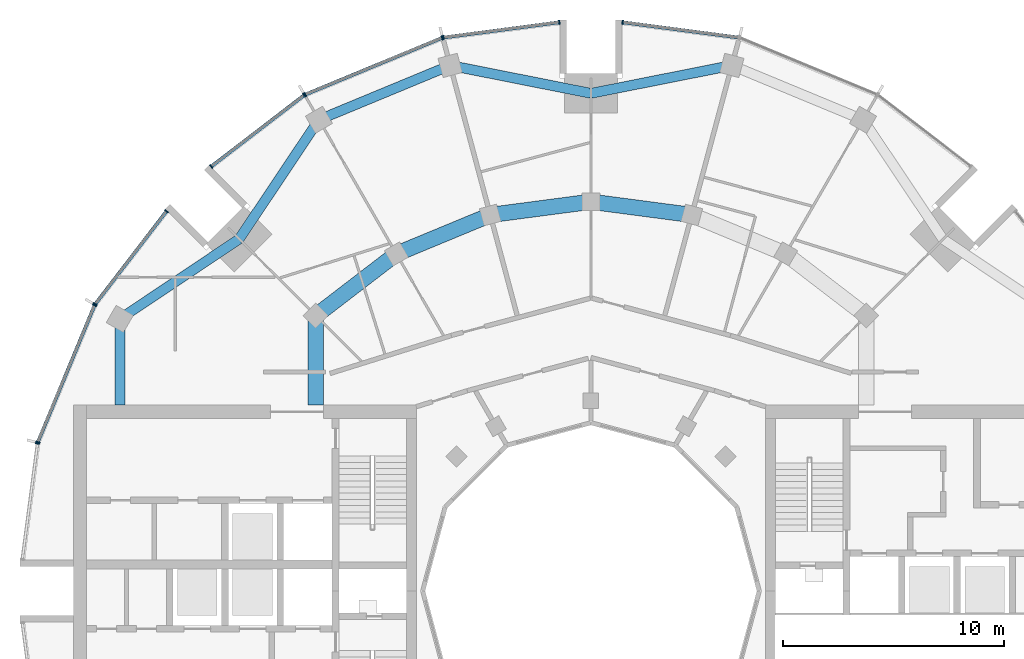
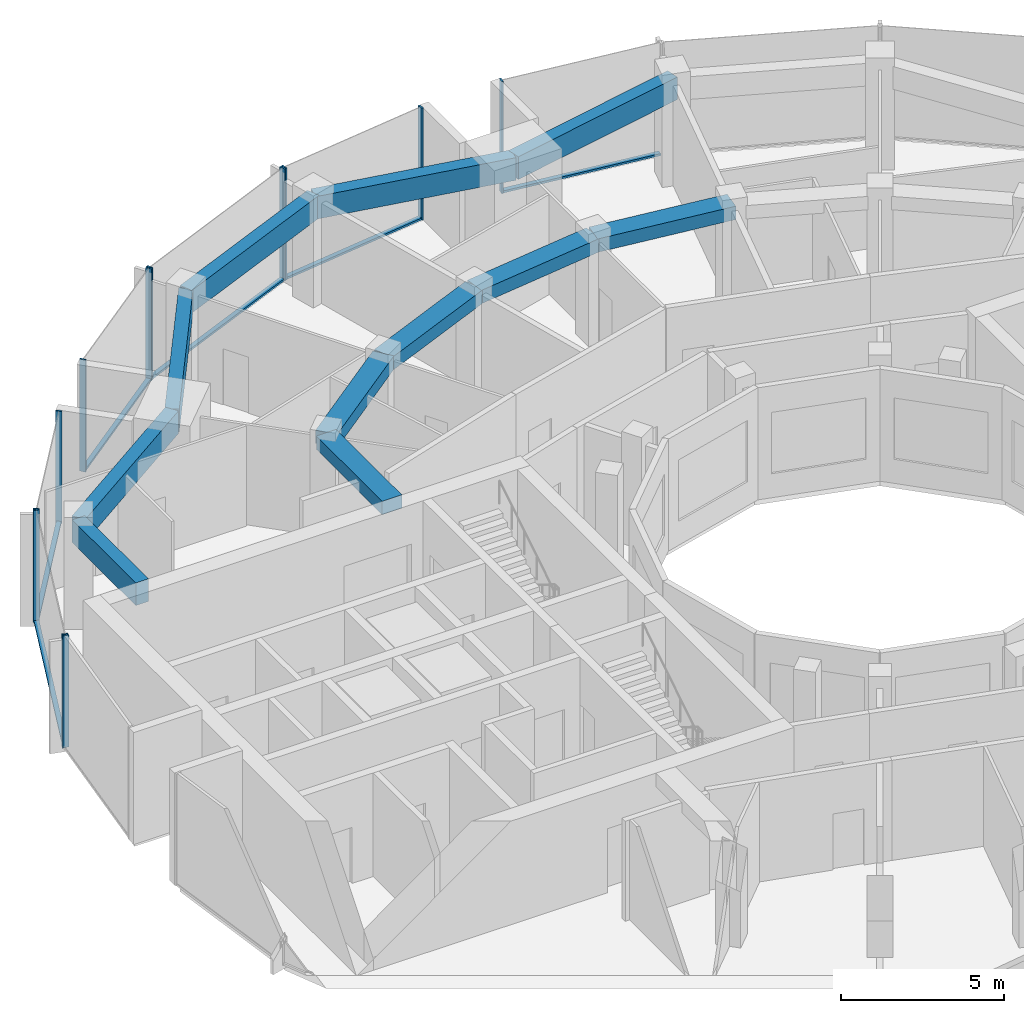
# One storey, part 5 of 15: 18 members, 11 beams, 7 elements without a shape of their own.
"""IFC4 building model written with IfcOpenShell, lengths in metres."""

from ifc_helpers import new_model, si_unit, direction, frame, origin, origin_2d, place, context, subcontext, project, spatial, rectangle, extrude, material, layer, layer_set, material_profile, profile_set, type_object, element, aggregate, save


model = new_model("IFC4")

# Units and contexts
model_context = context("Model", 3, precision=1e-05, world=origin(), true_north=direction((0.0, 1.0)))
body_context = subcontext(model_context, "Body", "Model", "MODEL_VIEW")
ifc_project = project(units=[si_unit("LENGTHUNIT", "METRE"), si_unit("AREAUNIT", "SQUARE_METRE"), si_unit("VOLUMEUNIT", "CUBIC_METRE"), si_unit("PLANEANGLEUNIT", "RADIAN"), si_unit("MASSUNIT", "GRAM", prefix="KILO")], contexts=[model_context])

# Site, building, storey
site_placement = place(None, origin())
site = spatial("IfcSite", under=ifc_project, at=site_placement, CompositionType="ELEMENT")
building_placement = place(site_placement, origin())
building = spatial("IfcBuilding", under=site, at=building_placement, Name="Torre Brocal", CompositionType="ELEMENT")
storey_placement = place(building_placement, frame((0.0, 0.0, 237.300048828125)))
storey = spatial("IfcBuildingStorey", under=building, at=storey_placement, Name="L54", CompositionType="ELEMENT", Elevation=237.300048828125)

# Curtain wall, member
ifc_material_1 = material(Name="Aluminium and glass", Category="aluminium")
ifc_layer_1 = layer(ifc_material_1, 0.199951171875)
ifc_layer_set_1 = layer_set([ifc_layer_1], Name="Aluminium and glass")
curtain_wall_type_1 = type_object("IfcCurtainWallType", Name="CW-1 CURTAIN WALL 4200 HIGH", PredefinedType="NOTDEFINED", material=ifc_layer_set_1)
curtain_wall_1_placement = place(storey_placement, origin())
curtain_wall_1 = element("IfcCurtainWall", 1, at=curtain_wall_1_placement, inside=storey, type_object=curtain_wall_type_1, Name="CW-1 RUN 6", PredefinedType="NOTDEFINED")
ifc_material_2 = material(Name="Aluminium, dark anodised", Category="aluminium")
ifc_material_profile_1 = material_profile(ifc_material_2, rectangle(XDim=0.199951171875, YDim=0.06005859375, at=origin_2d()), Name="CW-1 MULLION 60X200")
ifc_profile_set_1 = profile_set([ifc_material_profile_1], Name="Aluminium, dark anodised")
member_type_1 = type_object("IfcMemberType", Name="CW-1 MULLION 60X200", PredefinedType="MULLION", material=ifc_profile_set_1)
member_1_placement = place(storey_placement, frame((81.4296875, 100.7109375, 0.0), z_axis=(0.0, 0.0, 1.0), x_axis=(-0.13052619222, -0.991444861374, 0.0)))
member_1 = element("IfcMember", 2, at=member_1_placement, type_object=member_type_1, Name="CW1-5 mullion 2", PredefinedType="MULLION", context=body_context, shape_type="SweptSolid", body=[
    extrude(rectangle(XDim=0.199951171875, YDim=0.06005859375, at=origin_2d()), origin(), (0.0, 0.0, 1.0), 4.199951171875),
])

# Curtain wall, members
curtain_wall_2_placement = place(storey_placement, origin())
curtain_wall_2 = element("IfcCurtainWall", 3, at=curtain_wall_2_placement, inside=storey, type_object=curtain_wall_type_1, Name="CW-1 RUN 7", PredefinedType="NOTDEFINED")
member_2_placement = place(storey_placement, frame((78.5703125, 100.7109375, 0.0), z_axis=(0.0, 0.0, 1.0), x_axis=(0.13052619222, -0.991444861374, 0.0)))
member_2 = element("IfcMember", 4, at=member_2_placement, type_object=member_type_1, Name="CW1-5 mullion 1", PredefinedType="MULLION", context=body_context, shape_type="SweptSolid", body=[
    extrude(rectangle(XDim=0.199951171875, YDim=0.06005859375, at=origin_2d()), origin(), (0.0, 0.0, 1.0), 4.199951171875),
])
member_3_placement = place(storey_placement, frame((73.32666015625, 100.0205078125, 0.0), z_axis=(0.0, 0.0, 1.0), x_axis=(0.13052619222, -0.991444861374, 0.0)))
member_3 = element("IfcMember", 5, at=member_3_placement, type_object=member_type_1, Name="CW1-5 mullion 2", PredefinedType="MULLION", context=body_context, shape_type="SweptSolid", body=[
    extrude(rectangle(XDim=0.199951171875, YDim=0.06005859375, at=origin_2d()), origin(), (0.0, 0.0, 1.0), 4.199951171875),
])

curtain_wall_3_placement = place(storey_placement, origin())
curtain_wall_3 = element("IfcCurtainWall", 6, at=curtain_wall_3_placement, inside=storey, type_object=curtain_wall_type_1, Name="CW-1 RUN 8", PredefinedType="NOTDEFINED")
member_4_placement = place(storey_placement, frame((73.26904296875, 100.005126953125, 0.0), z_axis=(0.0, 0.0, 1.0), x_axis=(0.382683432333, -0.923879532525, 0.0)))
member_4 = element("IfcMember", 7, at=member_4_placement, type_object=member_type_1, Name="CW1-5 mullion 1", PredefinedType="MULLION", context=body_context, shape_type="SweptSolid", body=[
    extrude(rectangle(XDim=0.199951171875, YDim=0.06005859375, at=origin_2d()), origin(), (0.0, 0.0, 1.0), 4.199951171875),
])
member_5_placement = place(storey_placement, frame((67.078125, 97.440673828125, 0.0), z_axis=(0.0, 0.0, 1.0), x_axis=(0.382683432333, -0.923879532525, 0.0)))
member_5 = element("IfcMember", 8, at=member_5_placement, type_object=member_type_1, Name="CW1-5 mullion 2", PredefinedType="MULLION", context=body_context, shape_type="SweptSolid", body=[
    extrude(rectangle(XDim=0.199951171875, YDim=0.06005859375, at=origin_2d()), origin(), (0.0, 0.0, 1.0), 4.199951171875),
])

curtain_wall_4_placement = place(storey_placement, origin())
curtain_wall_4 = element("IfcCurtainWall", 9, at=curtain_wall_4_placement, inside=storey, type_object=curtain_wall_type_1, Name="CW-1 RUN 9", PredefinedType="NOTDEFINED")
member_6_placement = place(storey_placement, frame((67.026611328125, 97.4111328125, 0.0), z_axis=(0.0, 0.0, 1.0), x_axis=(0.60876142905, -0.793353340259, 0.0)))
member_6 = element("IfcMember", 10, at=member_6_placement, type_object=member_type_1, Name="CW1-5 mullion 1", PredefinedType="MULLION", context=body_context, shape_type="SweptSolid", body=[
    extrude(rectangle(XDim=0.199951171875, YDim=0.06005859375, at=origin_2d()), origin(), (0.0, 0.0, 1.0), 4.199951171875),
])
member_7_placement = place(storey_placement, frame((62.83056640625, 94.19140625, 0.0), z_axis=(0.0, 0.0, 1.0), x_axis=(0.60876142905, -0.793353340259, 0.0)))
member_7 = element("IfcMember", 11, at=member_7_placement, type_object=member_type_1, Name="CW1-5 mullion 2", PredefinedType="MULLION", context=body_context, shape_type="SweptSolid", body=[
    extrude(rectangle(XDim=0.199951171875, YDim=0.06005859375, at=origin_2d()), origin(), (0.0, 0.0, 1.0), 4.199951171875),
])

curtain_wall_5_placement = place(storey_placement, origin())
curtain_wall_5 = element("IfcCurtainWall", 12, at=curtain_wall_5_placement, inside=storey, type_object=curtain_wall_type_1, Name="CW-1 RUN 10", PredefinedType="NOTDEFINED")
member_8_placement = place(storey_placement, frame((60.80859375, 92.16943359375, 0.0), z_axis=(0.0, 0.0, 1.0), x_axis=(0.793353340259, -0.60876142905, 0.0)))
member_8 = element("IfcMember", 13, at=member_8_placement, type_object=member_type_1, Name="CW1-5 mullion 1", PredefinedType="MULLION", context=body_context, shape_type="SweptSolid", body=[
    extrude(rectangle(XDim=0.199951171875, YDim=0.06005859375, at=origin_2d()), origin(), (0.0, 0.0, 1.0), 4.199951171875),
])
member_9_placement = place(storey_placement, frame((57.5888671875, 87.973388671875, 0.0), z_axis=(0.0, 0.0, 1.0), x_axis=(0.793353340259, -0.60876142905, 0.0)))
member_9 = element("IfcMember", 14, at=member_9_placement, type_object=member_type_1, Name="CW1-5 mullion 2", PredefinedType="MULLION", context=body_context, shape_type="SweptSolid", body=[
    extrude(rectangle(XDim=0.199951171875, YDim=0.06005859375, at=origin_2d()), origin(), (0.0, 0.0, 1.0), 4.199951171875),
])

curtain_wall_6_placement = place(storey_placement, origin())
curtain_wall_6 = element("IfcCurtainWall", 15, at=curtain_wall_6_placement, inside=storey, type_object=curtain_wall_type_1, Name="CW-1 RUN 11", PredefinedType="NOTDEFINED")
member_10_placement = place(storey_placement, frame((57.559326171875, 87.921875, 0.0), z_axis=(0.0, 0.0, 1.0), x_axis=(0.923879532525, -0.382683432333, 0.0)))
member_10 = element("IfcMember", 16, at=member_10_placement, type_object=member_type_1, Name="CW1-5 mullion 1", PredefinedType="MULLION", context=body_context, shape_type="SweptSolid", body=[
    extrude(rectangle(XDim=0.199951171875, YDim=0.06005859375, at=origin_2d()), origin(), (0.0, 0.0, 1.0), 4.199951171875),
])
member_11_placement = place(storey_placement, frame((54.994873046875, 81.73095703125, 0.0), z_axis=(0.0, 0.0, 1.0), x_axis=(0.923879532525, -0.382683432333, 0.0)))
member_11 = element("IfcMember", 17, at=member_11_placement, type_object=member_type_1, Name="CW1-5 mullion 2", PredefinedType="MULLION", context=body_context, shape_type="SweptSolid", body=[
    extrude(rectangle(XDim=0.199951171875, YDim=0.06005859375, at=origin_2d()), origin(), (0.0, 0.0, 1.0), 4.199951171875),
])

# Member
ifc_material_3 = material(Name="Aluminium, dark anodised", Category="aluminium")
ifc_material_profile_2 = material_profile(ifc_material_3, rectangle(XDim=0.159912109375, YDim=0.080078125, at=origin_2d()), Name="CW-1 TRANSOM 160X80")
ifc_profile_set_2 = profile_set([ifc_material_profile_2], Name="Aluminium, dark anodised")
member_type_2 = type_object("IfcMemberType", Name="CW-1 TRANSOM 160X80", PredefinedType="USERDEFINED", material=ifc_profile_set_2)
member_12_placement = place(storey_placement, frame((86.643798828125, 100.0244140625, 0.0400390625), z_axis=(-0.991442690863, 0.130542677827, 0.0), x_axis=(-0.130542677827, -0.991442690863, 0.0)))
member_12 = element("IfcMember", 18, at=member_12_placement, type_object=member_type_2, Name="CW1-5 transom 1.1", ObjectType="TRANSOM", PredefinedType="USERDEFINED", context=body_context, shape_type="SweptSolid", body=[
    extrude(rectangle(XDim=0.159912109375, YDim=0.080078125, at=origin_2d()), origin(), (0.0, 0.0, 1.0), 5.22900390625),
])

aggregate(curtain_wall_1, [member_1, member_12])

member_13_placement = place(storey_placement, frame((78.54052734375, 100.70703125, 0.0400390625), z_axis=(-0.991442690863, -0.130542677827, 0.0), x_axis=(0.130542677827, -0.991442690863, 0.0)))
member_13 = element("IfcMember", 19, at=member_13_placement, type_object=member_type_2, Name="CW1-5 transom 1.1", ObjectType="TRANSOM", PredefinedType="USERDEFINED", context=body_context, shape_type="SweptSolid", body=[
    extrude(rectangle(XDim=0.159912109375, YDim=0.080078125, at=origin_2d()), origin(), (0.0, 0.0, 1.0), 5.22900390625),
])

aggregate(curtain_wall_2, [member_2, member_3, member_13])

member_14_placement = place(storey_placement, frame((73.241455078125, 99.99365234375, 0.0400390625), z_axis=(-0.923887344364, -0.38266457234, 0.0), x_axis=(0.38266457234, -0.923887344364, 0.0)))
member_14 = element("IfcMember", 20, at=member_14_placement, type_object=member_type_2, Name="CW1-5 transom 1.1", ObjectType="TRANSOM", PredefinedType="USERDEFINED", context=body_context, shape_type="SweptSolid", body=[
    extrude(rectangle(XDim=0.159912109375, YDim=0.080078125, at=origin_2d()), origin(), (0.0, 0.0, 1.0), 6.640869140625),
])

aggregate(curtain_wall_3, [member_4, member_5, member_14])

member_15_placement = place(storey_placement, frame((67.0029296875, 97.392822265625, 0.0400390625), z_axis=(-0.79336281513, -0.60874908096, 0.0), x_axis=(0.60874908096, -0.79336281513, 0.0)))
member_15 = element("IfcMember", 21, at=member_15_placement, type_object=member_type_2, Name="CW1-5 transom 1.1", ObjectType="TRANSOM", PredefinedType="USERDEFINED", context=body_context, shape_type="SweptSolid", body=[
    extrude(rectangle(XDim=0.159912109375, YDim=0.080078125, at=origin_2d()), origin(), (0.0, 0.0, 1.0), 5.22900390625),
])

aggregate(curtain_wall_4, [member_6, member_7, member_15])

member_16_placement = place(storey_placement, frame((60.790283203125, 92.1455078125, 0.0400390625), z_axis=(-0.60874908096, -0.79336281513, 0.0), x_axis=(0.79336281513, -0.60874908096, 0.0)))
member_16 = element("IfcMember", 22, at=member_16_placement, type_object=member_type_2, Name="CW1-5 transom 1.1", ObjectType="TRANSOM", PredefinedType="USERDEFINED", context=body_context, shape_type="SweptSolid", body=[
    extrude(rectangle(XDim=0.159912109375, YDim=0.080078125, at=origin_2d()), origin(), (0.0, 0.0, 1.0), 5.22900390625),
])

aggregate(curtain_wall_5, [member_8, member_9, member_16])

member_17_placement = place(storey_placement, frame((57.547607421875, 87.89404296875, 0.0400390625), z_axis=(-0.38266457234, -0.923887344364, 0.0), x_axis=(0.923887344364, -0.38266457234, 0.0)))
member_17 = element("IfcMember", 23, at=member_17_placement, type_object=member_type_2, Name="CW1-5 transom 1.1", ObjectType="TRANSOM", PredefinedType="USERDEFINED", context=body_context, shape_type="SweptSolid", body=[
    extrude(rectangle(XDim=0.159912109375, YDim=0.080078125, at=origin_2d()), origin(), (0.0, 0.0, 1.0), 6.640869140625),
])

aggregate(curtain_wall_6, [member_10, member_11, member_17])

# Curtain wall, member
ifc_material_4 = material(Name="Aluminium and glass", Category="aluminium")
ifc_layer_2 = layer(ifc_material_4, 0.199951171875)
ifc_layer_set_2 = layer_set([ifc_layer_2], Name="Aluminium and glass")
curtain_wall_type_2 = type_object("IfcCurtainWallType", Name="CW-1B CURTAIN WALL 4200 HIGH", PredefinedType="NOTDEFINED", material=ifc_layer_set_2)
curtain_wall_7_placement = place(storey_placement, origin())
curtain_wall_7 = element("IfcCurtainWall", 24, at=curtain_wall_7_placement, inside=storey, type_object=curtain_wall_type_2, Name="CW-1B RUN 12", PredefinedType="NOTDEFINED")
ifc_material_5 = material(Name="Aluminium, dark anodised", Category="aluminium")
ifc_material_profile_3 = material_profile(ifc_material_5, rectangle(XDim=0.199951171875, YDim=0.06005859375, at=origin_2d()), Name="CW-1B MULLION 60X200")
ifc_profile_set_3 = profile_set([ifc_material_profile_3], Name="Aluminium, dark anodised")
member_type_3 = type_object("IfcMemberType", Name="CW-1B MULLION 60X200", PredefinedType="MULLION", material=ifc_profile_set_3)
member_18_placement = place(storey_placement, frame((54.9794921875, 81.67333984375, 0.0), z_axis=(0.0, 0.0, 1.0), x_axis=(0.991444861374, -0.13052619222, 0.0)))
member_18 = element("IfcMember", 25, at=member_18_placement, type_object=member_type_3, Name="CW1B-5 mullion 1", PredefinedType="MULLION", context=body_context, shape_type="SweptSolid", body=[
    extrude(rectangle(XDim=0.199951171875, YDim=0.06005859375, at=origin_2d()), origin(), (0.0, 0.0, 1.0), 4.199951171875),
])
aggregate(curtain_wall_7, [member_18])

# Beams
ifc_material_6 = material(Name="Concrete C50", Category="concrete")
ifc_material_profile_4 = material_profile(ifc_material_6, rectangle(XDim=0.699951171875, YDim=0.5, at=origin_2d()), Name="RC 700X500")
ifc_profile_set_4 = profile_set([ifc_material_profile_4], Name="Concrete C50")
beam_type_1 = type_object("IfcBeamType", Name="RC BEAM 700X500 C50 TOP 3880", PredefinedType="BEAM", material=ifc_profile_set_4)
for number, where, z_axis, x_axis, name in (
    (26, (84.55517578125, 92.000244140625, 3.6298828125), (-0.991440544449, 0.130558978332, 0.0), (-0.130558978332, -0.991440544449, 0.0), "Beam BT-37"),
    (27, (80.0, 92.60009765625, 3.6298828125), (-0.991440544449, -0.130558978332, 0.0), (0.130558978332, -0.991440544449, 0.0), "Beam BT-37"),
):
    element("IfcBeam", number, at=place(storey_placement, frame(where, z_axis=z_axis, x_axis=x_axis)), inside=storey, type_object=beam_type_1, Name=name, PredefinedType="BEAM", context=body_context, shape_type="SweptSolid", body=[
        extrude(rectangle(XDim=0.699951171875, YDim=0.5, at=origin_2d()), origin(), (0.0, 0.0, 1.0), 4.594482421875),
    ])
beam_1_placement = place(storey_placement, frame((75.44482421875, 92.000244140625, 3.6298828125), z_axis=(-0.923878240166, -0.382686552348, 0.0), x_axis=(0.382686552348, -0.923878240166, 0.0)))
element("IfcBeam", 28, at=beam_1_placement, inside=storey, type_object=beam_type_1, Name="Beam BT-37", PredefinedType="BEAM", context=body_context, shape_type="SweptSolid", body=[
    extrude(rectangle(XDim=0.699951171875, YDim=0.5, at=origin_2d()), origin(), (0.0, 0.0, 1.0), 4.5947265625),
])
beam_2_placement = place(storey_placement, frame((71.199951171875, 90.241943359375, 3.6298828125), z_axis=(-0.793358265959, -0.6087550097, 0.0), x_axis=(0.6087550097, -0.793358265959, 0.0)))
element("IfcBeam", 29, at=beam_2_placement, inside=storey, type_object=beam_type_1, Name="Beam BT-37", PredefinedType="BEAM", context=body_context, shape_type="SweptSolid", body=[
    extrude(rectangle(XDim=0.699951171875, YDim=0.5, at=origin_2d()), origin(), (0.0, 0.0, 1.0), 4.594482421875),
])
beam_3_placement = place(storey_placement, frame((67.554931640625, 87.445068359375, 3.6298828125), z_axis=(0.0, -1.0, 0.0), x_axis=(1.0, 0.0, 0.0)))
element("IfcBeam", 30, at=beam_3_placement, inside=storey, type_object=beam_type_1, Name="Beam BT-37", PredefinedType="BEAM", context=body_context, shape_type="SweptSolid", body=[
    extrude(rectangle(XDim=0.699951171875, YDim=0.5, at=origin_2d()), origin(), (0.0, 0.0, 1.0), 4.045166015625),
])
ifc_material_7 = material(Name="Concrete C50", Category="concrete")
ifc_material_profile_5 = material_profile(ifc_material_7, rectangle(XDim=0.449951171875, YDim=0.85009765625, at=origin_2d()), Name="RC 450X850")
ifc_profile_set_5 = profile_set([ifc_material_profile_5], Name="Concrete C50")
beam_type_2 = type_object("IfcBeamType", Name="RC SPANDREL BEAM 450X850 C50 TOP 3880", PredefinedType="SPANDREL", material=ifc_profile_set_5)
for number, where, z_axis, x_axis, name in (
    (31, (86.366943359375, 98.76171875, 3.454833984375), (-0.980924907484, -0.194387051723, 0.0), (0.194387051723, -0.980924907484, 0.0), "Beam BT-38"),
    (32, (80.0, 97.5, 3.454833984375), (-0.980924907484, 0.194387051723, 0.0), (-0.194387051723, -0.980924907484, 0.0), "Beam BT-38"),
):
    element("IfcBeam", number, at=place(storey_placement, frame(where, z_axis=z_axis, x_axis=x_axis)), inside=storey, type_object=beam_type_2, Name=name, PredefinedType="SPANDREL", context=body_context, shape_type="SweptSolid", body=[
        extrude(rectangle(XDim=0.449951171875, YDim=0.85009765625, at=origin_2d()), origin(), (0.0, 0.0, 1.0), 6.49072265625),
    ])
beam_4_placement = place(storey_placement, frame((73.633056640625, 98.76171875, 3.454833984375), z_axis=(-0.923882462513, -0.382676358639, 0.0), x_axis=(0.382676358639, -0.923882462513, 0.0)))
element("IfcBeam", 33, at=beam_4_placement, inside=storey, type_object=beam_type_2, Name="Beam BT-38", PredefinedType="SPANDREL", context=body_context, shape_type="SweptSolid", body=[
    extrude(rectangle(XDim=0.449951171875, YDim=0.85009765625, at=origin_2d()), origin(), (0.0, 0.0, 1.0), 6.421875),
])
for number, where, z_axis, x_axis, name in (
    (34, (67.699951171875, 96.30419921875, 3.454833984375), (-0.556157602282, -0.831076844476, 0.0), (0.831076844476, -0.556157602282, 0.0), "Beam BT-38"),
    (35, (64.090087890625, 90.909912109375, 3.454833984375), (-0.831076844476, -0.556157602282, 0.0), (0.556157602282, -0.831076844476, 0.0), "Beam BT-38"),
):
    element("IfcBeam", number, at=place(storey_placement, frame(where, z_axis=z_axis, x_axis=x_axis)), inside=storey, type_object=beam_type_2, Name=name, PredefinedType="SPANDREL", context=body_context, shape_type="SweptSolid", body=[
        extrude(rectangle(XDim=0.449951171875, YDim=0.85009765625, at=origin_2d()), origin(), (0.0, 0.0, 1.0), 6.49072265625),
    ])
beam_5_placement = place(storey_placement, frame((58.69580078125, 87.300048828125, 3.454833984375), z_axis=(0.0, -1.0, 0.0), x_axis=(1.0, 0.0, 0.0)))
element("IfcBeam", 36, at=beam_5_placement, inside=storey, type_object=beam_type_2, Name="Beam BT-38", PredefinedType="SPANDREL", context=body_context, shape_type="SweptSolid", body=[
    extrude(rectangle(XDim=0.449951171875, YDim=0.85009765625, at=origin_2d()), origin(), (0.0, 0.0, 1.0), 3.900146484375),
])

save(model, "model.ifc")
